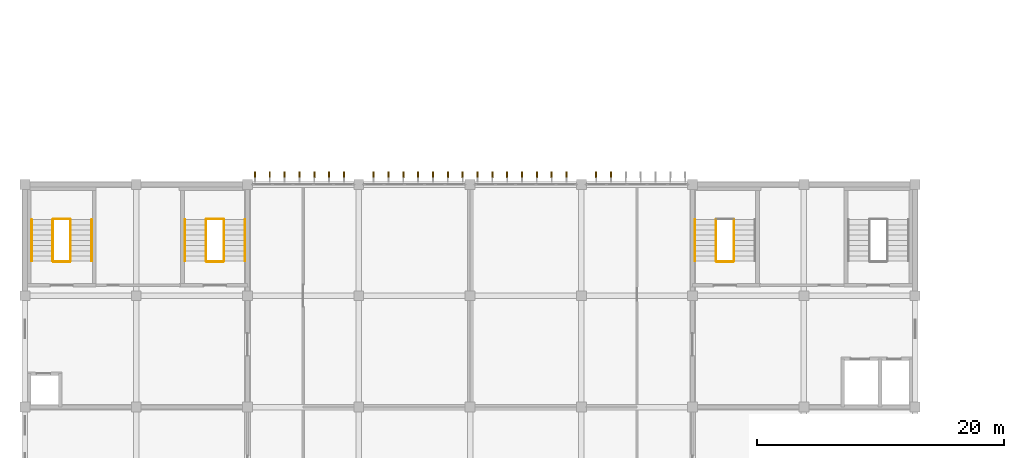
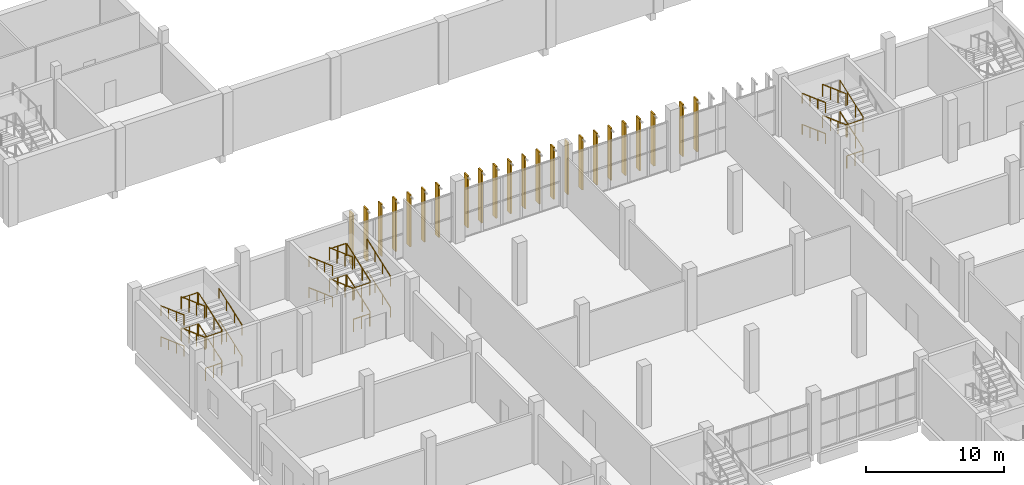
# One storey, part 169 of 185: 32 railings, 23 coverings.
"""IFC4 building model written with IfcOpenShell, lengths in metres."""

from ifc_helpers import new_model, si_unit, direction, frame, origin, origin_2d, place, context, subcontext, project, spatial, rectangle, circle, extrude, material, layer, layer_set, constituent, constituent_set, type_object, element, save


model = new_model("IFC4")

# Units and contexts
model_context = context("Model", 3, precision=1e-05, world=origin(), true_north=direction((0.0, 1.0)))
body_context = subcontext(model_context, "Body", "Model", "MODEL_VIEW")
ifc_project = project(units=[si_unit("LENGTHUNIT", "METRE"), si_unit("AREAUNIT", "SQUARE_METRE"), si_unit("VOLUMEUNIT", "CUBIC_METRE"), si_unit("PLANEANGLEUNIT", "RADIAN"), si_unit("MASSUNIT", "GRAM", prefix="KILO")], contexts=[model_context])

# Site, building, storey
site_placement = place(None, origin())
site = spatial("IfcSite", under=ifc_project, at=site_placement, CompositionType="ELEMENT")
building_placement = place(site_placement, origin())
building = spatial("IfcBuilding", under=site, at=building_placement, Name="Opaline Strait Convention Centre", CompositionType="ELEMENT")
storey_placement = place(building_placement, frame((0.0, 0.0, 6.0)))
storey = spatial("IfcBuildingStorey", under=building, at=storey_placement, Name="L01", CompositionType="ELEMENT", Elevation=6.0)

# Railings
ifc_material_1 = material(Name="Steel Q235B", Category="steel")
ifc_constituent_1 = constituent(ifc_material_1, Name="Frame")
ifc_material_2 = material(Name="Safety glass, bonded interlayer", Category="glass")
ifc_constituent_2 = constituent(ifc_material_2, Name="Infill")
ifc_constituent_set = constituent_set(constituents=[ifc_constituent_1, ifc_constituent_2], Name="Steel Q235B, Safety glass, bonded interlayer")
railing_type_1 = type_object("IfcRailingType", Name="Stair guard 1100 Q235B and glass", PredefinedType="GUARDRAIL", material=ifc_constituent_set)
railing_1_placement = place(storey_placement, frame((12.699951171875, 92.800048828125, 0.15283203125)))
element("IfcRailing", 1, at=railing_1_placement, inside=storey, type_object=railing_type_1, Name="L01 NWA stair guard 1", PredefinedType="GUARDRAIL", context=body_context, shape_type="SweptSolid", body=[
    extrude(circle(Radius=0.02392578125, at=origin_2d()), frame((0.0, 0.0, 1.076171875), z_axis=(0.0, 0.93975753056, 0.341841752506), x_axis=(-1.0, 0.0, 0.0)), (0.0, 0.0, 1.0), 3.5751953125),
    extrude(circle(Radius=0.02099609375, at=origin_2d()), origin(), (0.0, 0.0, 1.0), 1.052001953125),
    extrude(circle(Radius=0.02099609375, at=origin_2d()), frame((0.0, 1.119873046875, 0.407470703125)), (0.0, 0.0, 1.0), 1.052001953125),
    extrude(circle(Radius=0.02099609375, at=origin_2d()), frame((0.0, 2.239990234375, 0.814697265625)), (0.0, 0.0, 1.0), 1.052001953125),
    extrude(circle(Radius=0.02099609375, at=origin_2d()), frame((0.0, 3.35986328125, 1.22216796875)), (0.0, 0.0, 1.0), 1.052001953125),
])
railing_2_placement = place(storey_placement, frame((12.64990234375, 96.2099609375, 1.375)))
element("IfcRailing", 2, at=railing_2_placement, inside=storey, type_object=railing_type_1, Name="L01 NWA stair guard 2", PredefinedType="GUARDRAIL", context=body_context, shape_type="SweptSolid", body=[
    extrude(circle(Radius=0.02392578125, at=origin_2d()), frame((0.0, 0.0, 1.076171875), z_axis=(-1.0, 0.0, 0.0), x_axis=(0.0, -1.0, 0.0)), (0.0, 0.0, 1.0), 1.349853515625),
    extrude(circle(Radius=0.02099609375, at=origin_2d()), origin(), (0.0, 0.0, 1.0), 1.052001953125),
    extrude(circle(Radius=0.02099609375, at=origin_2d()), frame((-0.6748046875, 0.0, 0.0)), (0.0, 0.0, 1.0), 1.052001953125),
    extrude(circle(Radius=0.02099609375, at=origin_2d()), frame((-1.349853515625, 0.0, 0.0)), (0.0, 0.0, 1.0), 1.052001953125),
])
railing_3_placement = place(storey_placement, frame((11.25, 96.159912109375, 1.52783203125)))
element("IfcRailing", 3, at=railing_3_placement, inside=storey, type_object=railing_type_1, Name="L01 NWA stair guard 3", PredefinedType="GUARDRAIL", context=body_context, shape_type="SweptSolid", body=[
    extrude(circle(Radius=0.02392578125, at=origin_2d()), frame((0.0, 0.0, 1.076171875), z_axis=(0.0, -0.93975753056, 0.341841752506), x_axis=(1.0, 0.0, 0.0)), (0.0, 0.0, 1.0), 3.5751953125),
    extrude(circle(Radius=0.02099609375, at=origin_2d()), origin(), (0.0, 0.0, 1.0), 1.052001953125),
    extrude(circle(Radius=0.02099609375, at=origin_2d()), frame((0.0, -1.119873046875, 0.407470703125)), (0.0, 0.0, 1.0), 1.052001953125),
    extrude(circle(Radius=0.02099609375, at=origin_2d()), frame((0.0, -2.239990234375, 0.814697265625)), (0.0, 0.0, 1.0), 1.052001953125),
    extrude(circle(Radius=0.02099609375, at=origin_2d()), frame((0.0, -3.35986328125, 1.22216796875)), (0.0, 0.0, 1.0), 1.052001953125),
])
railing_4_placement = place(storey_placement, frame((12.64990234375, 92.75, 2.75)))
element("IfcRailing", 4, at=railing_4_placement, inside=storey, type_object=railing_type_1, Name="L01 NWA stair guard 4", PredefinedType="GUARDRAIL", context=body_context, shape_type="SweptSolid", body=[
    extrude(circle(Radius=0.02392578125, at=origin_2d()), frame((0.0, 0.0, 1.076171875), z_axis=(-1.0, 0.0, 0.0), x_axis=(0.0, -1.0, 0.0)), (0.0, 0.0, 1.0), 1.349853515625),
    extrude(circle(Radius=0.02099609375, at=origin_2d()), origin(), (0.0, 0.0, 1.0), 1.052001953125),
    extrude(circle(Radius=0.02099609375, at=origin_2d()), frame((-0.6748046875, 0.0, 0.0)), (0.0, 0.0, 1.0), 1.052001953125),
    extrude(circle(Radius=0.02099609375, at=origin_2d()), frame((-1.349853515625, 0.0, 0.0)), (0.0, 0.0, 1.0), 1.052001953125),
])
railing_5_placement = place(storey_placement, frame((12.699951171875, 92.800048828125, 2.90283203125)))
element("IfcRailing", 5, at=railing_5_placement, inside=storey, type_object=railing_type_1, Name="L01 NWA stair guard 5", PredefinedType="GUARDRAIL", context=body_context, shape_type="SweptSolid", body=[
    extrude(circle(Radius=0.02392578125, at=origin_2d()), frame((0.0, 0.0, 1.076171875), z_axis=(0.0, 0.93975753056, 0.341841752506), x_axis=(-1.0, 0.0, 0.0)), (0.0, 0.0, 1.0), 3.5751953125),
    extrude(circle(Radius=0.02099609375, at=origin_2d()), origin(), (0.0, 0.0, 1.0), 1.052001953125),
    extrude(circle(Radius=0.02099609375, at=origin_2d()), frame((0.0, 1.119873046875, 0.407470703125)), (0.0, 0.0, 1.0), 1.052001953125),
    extrude(circle(Radius=0.02099609375, at=origin_2d()), frame((0.0, 2.239990234375, 0.814697265625)), (0.0, 0.0, 1.0), 1.052001953125),
    extrude(circle(Radius=0.02099609375, at=origin_2d()), frame((0.0, 3.35986328125, 1.22216796875)), (0.0, 0.0, 1.0), 1.052001953125),
])
railing_6_placement = place(storey_placement, frame((12.64990234375, 96.2099609375, 4.125)))
element("IfcRailing", 6, at=railing_6_placement, inside=storey, type_object=railing_type_1, Name="L01 NWA stair guard 6", PredefinedType="GUARDRAIL", context=body_context, shape_type="SweptSolid", body=[
    extrude(circle(Radius=0.02392578125, at=origin_2d()), frame((0.0, 0.0, 1.076171875), z_axis=(-1.0, 0.0, 0.0), x_axis=(0.0, -1.0, 0.0)), (0.0, 0.0, 1.0), 1.349853515625),
    extrude(circle(Radius=0.02099609375, at=origin_2d()), origin(), (0.0, 0.0, 1.0), 1.052001953125),
    extrude(circle(Radius=0.02099609375, at=origin_2d()), frame((-0.6748046875, 0.0, 0.0)), (0.0, 0.0, 1.0), 1.052001953125),
    extrude(circle(Radius=0.02099609375, at=origin_2d()), frame((-1.349853515625, 0.0, 0.0)), (0.0, 0.0, 1.0), 1.052001953125),
])
railing_7_placement = place(storey_placement, frame((11.25, 96.159912109375, 4.27783203125)))
element("IfcRailing", 7, at=railing_7_placement, inside=storey, type_object=railing_type_1, Name="L01 NWA stair guard 7", PredefinedType="GUARDRAIL", context=body_context, shape_type="SweptSolid", body=[
    extrude(circle(Radius=0.02392578125, at=origin_2d()), frame((0.0, 0.0, 1.076171875), z_axis=(0.0, -0.93975753056, 0.341841752506), x_axis=(1.0, 0.0, 0.0)), (0.0, 0.0, 1.0), 3.5751953125),
    extrude(circle(Radius=0.02099609375, at=origin_2d()), origin(), (0.0, 0.0, 1.0), 1.052001953125),
    extrude(circle(Radius=0.02099609375, at=origin_2d()), frame((0.0, -1.119873046875, 0.407470703125)), (0.0, 0.0, 1.0), 1.052001953125),
    extrude(circle(Radius=0.02099609375, at=origin_2d()), frame((0.0, -2.239990234375, 0.814697265625)), (0.0, 0.0, 1.0), 1.052001953125),
    extrude(circle(Radius=0.02099609375, at=origin_2d()), frame((0.0, -3.35986328125, 1.22216796875)), (0.0, 0.0, 1.0), 1.052001953125),
])
railing_8_placement = place(storey_placement, frame((12.64990234375, 92.75, 0.0)))
element("IfcRailing", 8, at=railing_8_placement, inside=storey, type_object=railing_type_1, Name="L01 NWA stair guard 8", PredefinedType="GUARDRAIL", context=body_context, shape_type="SweptSolid", body=[
    extrude(circle(Radius=0.02392578125, at=origin_2d()), frame((0.0, 0.0, 1.076171875), z_axis=(-1.0, 0.0, 0.0), x_axis=(0.0, -1.0, 0.0)), (0.0, 0.0, 1.0), 1.349853515625),
    extrude(circle(Radius=0.02099609375, at=origin_2d()), origin(), (0.0, 0.0, 1.0), 1.052001953125),
    extrude(circle(Radius=0.02099609375, at=origin_2d()), frame((-0.6748046875, 0.0, 0.0)), (0.0, 0.0, 1.0), 1.052001953125),
    extrude(circle(Radius=0.02099609375, at=origin_2d()), frame((-1.349853515625, 0.0, 0.0)), (0.0, 0.0, 1.0), 1.052001953125),
])
railing_9_placement = place(storey_placement, frame((25.10009765625, 92.800048828125, 0.15283203125)))
element("IfcRailing", 9, at=railing_9_placement, inside=storey, type_object=railing_type_1, Name="L01 NWB stair guard 1", PredefinedType="GUARDRAIL", context=body_context, shape_type="SweptSolid", body=[
    extrude(circle(Radius=0.02392578125, at=origin_2d()), frame((0.0, 0.0, 1.076171875), z_axis=(0.0, 0.93975753056, 0.341841752506), x_axis=(-1.0, 0.0, 0.0)), (0.0, 0.0, 1.0), 3.5751953125),
    extrude(circle(Radius=0.02099609375, at=origin_2d()), origin(), (0.0, 0.0, 1.0), 1.052001953125),
    extrude(circle(Radius=0.02099609375, at=origin_2d()), frame((0.0, 1.119873046875, 0.407470703125)), (0.0, 0.0, 1.0), 1.052001953125),
    extrude(circle(Radius=0.02099609375, at=origin_2d()), frame((0.0, 2.239990234375, 0.814697265625)), (0.0, 0.0, 1.0), 1.052001953125),
    extrude(circle(Radius=0.02099609375, at=origin_2d()), frame((0.0, 3.35986328125, 1.22216796875)), (0.0, 0.0, 1.0), 1.052001953125),
])
railing_10_placement = place(storey_placement, frame((25.050048828125, 96.2099609375, 1.375)))
element("IfcRailing", 10, at=railing_10_placement, inside=storey, type_object=railing_type_1, Name="L01 NWB stair guard 2", PredefinedType="GUARDRAIL", context=body_context, shape_type="SweptSolid", body=[
    extrude(circle(Radius=0.02392578125, at=origin_2d()), frame((0.0, 0.0, 1.076171875), z_axis=(-1.0, 0.0, 0.0), x_axis=(0.0, -1.0, 0.0)), (0.0, 0.0, 1.0), 1.35009765625),
    extrude(circle(Radius=0.02099609375, at=origin_2d()), origin(), (0.0, 0.0, 1.0), 1.052001953125),
    extrude(circle(Radius=0.02099609375, at=origin_2d()), frame((-0.675048828125, 0.0, 0.0)), (0.0, 0.0, 1.0), 1.052001953125),
    extrude(circle(Radius=0.02099609375, at=origin_2d()), frame((-1.35009765625, 0.0, 0.0)), (0.0, 0.0, 1.0), 1.052001953125),
])
railing_11_placement = place(storey_placement, frame((23.64990234375, 96.159912109375, 1.52783203125)))
element("IfcRailing", 11, at=railing_11_placement, inside=storey, type_object=railing_type_1, Name="L01 NWB stair guard 3", PredefinedType="GUARDRAIL", context=body_context, shape_type="SweptSolid", body=[
    extrude(circle(Radius=0.02392578125, at=origin_2d()), frame((0.0, 0.0, 1.076171875), z_axis=(0.0, -0.93975753056, 0.341841752506), x_axis=(1.0, 0.0, 0.0)), (0.0, 0.0, 1.0), 3.5751953125),
    extrude(circle(Radius=0.02099609375, at=origin_2d()), origin(), (0.0, 0.0, 1.0), 1.052001953125),
    extrude(circle(Radius=0.02099609375, at=origin_2d()), frame((0.0, -1.119873046875, 0.407470703125)), (0.0, 0.0, 1.0), 1.052001953125),
    extrude(circle(Radius=0.02099609375, at=origin_2d()), frame((0.0, -2.239990234375, 0.814697265625)), (0.0, 0.0, 1.0), 1.052001953125),
    extrude(circle(Radius=0.02099609375, at=origin_2d()), frame((0.0, -3.35986328125, 1.22216796875)), (0.0, 0.0, 1.0), 1.052001953125),
])
railing_12_placement = place(storey_placement, frame((25.050048828125, 92.75, 2.75)))
element("IfcRailing", 12, at=railing_12_placement, inside=storey, type_object=railing_type_1, Name="L01 NWB stair guard 4", PredefinedType="GUARDRAIL", context=body_context, shape_type="SweptSolid", body=[
    extrude(circle(Radius=0.02392578125, at=origin_2d()), frame((0.0, 0.0, 1.076171875), z_axis=(-1.0, 0.0, 0.0), x_axis=(0.0, -1.0, 0.0)), (0.0, 0.0, 1.0), 1.35009765625),
    extrude(circle(Radius=0.02099609375, at=origin_2d()), origin(), (0.0, 0.0, 1.0), 1.052001953125),
    extrude(circle(Radius=0.02099609375, at=origin_2d()), frame((-0.675048828125, 0.0, 0.0)), (0.0, 0.0, 1.0), 1.052001953125),
    extrude(circle(Radius=0.02099609375, at=origin_2d()), frame((-1.35009765625, 0.0, 0.0)), (0.0, 0.0, 1.0), 1.052001953125),
])
railing_13_placement = place(storey_placement, frame((25.10009765625, 92.800048828125, 2.90283203125)))
element("IfcRailing", 13, at=railing_13_placement, inside=storey, type_object=railing_type_1, Name="L01 NWB stair guard 5", PredefinedType="GUARDRAIL", context=body_context, shape_type="SweptSolid", body=[
    extrude(circle(Radius=0.02392578125, at=origin_2d()), frame((0.0, 0.0, 1.076171875), z_axis=(0.0, 0.93975753056, 0.341841752506), x_axis=(-1.0, 0.0, 0.0)), (0.0, 0.0, 1.0), 3.5751953125),
    extrude(circle(Radius=0.02099609375, at=origin_2d()), origin(), (0.0, 0.0, 1.0), 1.052001953125),
    extrude(circle(Radius=0.02099609375, at=origin_2d()), frame((0.0, 1.119873046875, 0.407470703125)), (0.0, 0.0, 1.0), 1.052001953125),
    extrude(circle(Radius=0.02099609375, at=origin_2d()), frame((0.0, 2.239990234375, 0.814697265625)), (0.0, 0.0, 1.0), 1.052001953125),
    extrude(circle(Radius=0.02099609375, at=origin_2d()), frame((0.0, 3.35986328125, 1.22216796875)), (0.0, 0.0, 1.0), 1.052001953125),
])
railing_14_placement = place(storey_placement, frame((25.050048828125, 96.2099609375, 4.125)))
element("IfcRailing", 14, at=railing_14_placement, inside=storey, type_object=railing_type_1, Name="L01 NWB stair guard 6", PredefinedType="GUARDRAIL", context=body_context, shape_type="SweptSolid", body=[
    extrude(circle(Radius=0.02392578125, at=origin_2d()), frame((0.0, 0.0, 1.076171875), z_axis=(-1.0, 0.0, 0.0), x_axis=(0.0, -1.0, 0.0)), (0.0, 0.0, 1.0), 1.35009765625),
    extrude(circle(Radius=0.02099609375, at=origin_2d()), origin(), (0.0, 0.0, 1.0), 1.052001953125),
    extrude(circle(Radius=0.02099609375, at=origin_2d()), frame((-0.675048828125, 0.0, 0.0)), (0.0, 0.0, 1.0), 1.052001953125),
    extrude(circle(Radius=0.02099609375, at=origin_2d()), frame((-1.35009765625, 0.0, 0.0)), (0.0, 0.0, 1.0), 1.052001953125),
])
railing_15_placement = place(storey_placement, frame((23.64990234375, 96.159912109375, 4.27783203125)))
element("IfcRailing", 15, at=railing_15_placement, inside=storey, type_object=railing_type_1, Name="L01 NWB stair guard 7", PredefinedType="GUARDRAIL", context=body_context, shape_type="SweptSolid", body=[
    extrude(circle(Radius=0.02392578125, at=origin_2d()), frame((0.0, 0.0, 1.076171875), z_axis=(0.0, -0.93975753056, 0.341841752506), x_axis=(1.0, 0.0, 0.0)), (0.0, 0.0, 1.0), 3.5751953125),
    extrude(circle(Radius=0.02099609375, at=origin_2d()), origin(), (0.0, 0.0, 1.0), 1.052001953125),
    extrude(circle(Radius=0.02099609375, at=origin_2d()), frame((0.0, -1.119873046875, 0.407470703125)), (0.0, 0.0, 1.0), 1.052001953125),
    extrude(circle(Radius=0.02099609375, at=origin_2d()), frame((0.0, -2.239990234375, 0.814697265625)), (0.0, 0.0, 1.0), 1.052001953125),
    extrude(circle(Radius=0.02099609375, at=origin_2d()), frame((0.0, -3.35986328125, 1.22216796875)), (0.0, 0.0, 1.0), 1.052001953125),
])
railing_16_placement = place(storey_placement, frame((25.050048828125, 92.75, 0.0)))
element("IfcRailing", 16, at=railing_16_placement, inside=storey, type_object=railing_type_1, Name="L01 NWB stair guard 8", PredefinedType="GUARDRAIL", context=body_context, shape_type="SweptSolid", body=[
    extrude(circle(Radius=0.02392578125, at=origin_2d()), frame((0.0, 0.0, 1.076171875), z_axis=(-1.0, 0.0, 0.0), x_axis=(0.0, -1.0, 0.0)), (0.0, 0.0, 1.0), 1.35009765625),
    extrude(circle(Radius=0.02099609375, at=origin_2d()), origin(), (0.0, 0.0, 1.0), 1.052001953125),
    extrude(circle(Radius=0.02099609375, at=origin_2d()), frame((-0.675048828125, 0.0, 0.0)), (0.0, 0.0, 1.0), 1.052001953125),
    extrude(circle(Radius=0.02099609375, at=origin_2d()), frame((-1.35009765625, 0.0, 0.0)), (0.0, 0.0, 1.0), 1.052001953125),
])
railing_17_placement = place(storey_placement, frame((66.35009765625, 92.800048828125, 0.15283203125)))
element("IfcRailing", 17, at=railing_17_placement, inside=storey, type_object=railing_type_1, Name="L01 NEB stair guard 1", PredefinedType="GUARDRAIL", context=body_context, shape_type="SweptSolid", body=[
    extrude(circle(Radius=0.02392578125, at=origin_2d()), frame((0.0, 0.0, 1.076171875), z_axis=(0.0, 0.93975753056, 0.341841752506), x_axis=(-1.0, 0.0, 0.0)), (0.0, 0.0, 1.0), 3.5751953125),
    extrude(circle(Radius=0.02099609375, at=origin_2d()), origin(), (0.0, 0.0, 1.0), 1.052001953125),
    extrude(circle(Radius=0.02099609375, at=origin_2d()), frame((0.0, 1.119873046875, 0.407470703125)), (0.0, 0.0, 1.0), 1.052001953125),
    extrude(circle(Radius=0.02099609375, at=origin_2d()), frame((0.0, 2.239990234375, 0.814697265625)), (0.0, 0.0, 1.0), 1.052001953125),
    extrude(circle(Radius=0.02099609375, at=origin_2d()), frame((0.0, 3.35986328125, 1.22216796875)), (0.0, 0.0, 1.0), 1.052001953125),
])
railing_18_placement = place(storey_placement, frame((64.89990234375, 96.159912109375, 1.52783203125)))
element("IfcRailing", 18, at=railing_18_placement, inside=storey, type_object=railing_type_1, Name="L01 NEB stair guard 3", PredefinedType="GUARDRAIL", context=body_context, shape_type="SweptSolid", body=[
    extrude(circle(Radius=0.02392578125, at=origin_2d()), frame((0.0, 0.0, 1.076171875), z_axis=(0.0, -0.93975753056, 0.341841752506), x_axis=(1.0, 0.0, 0.0)), (0.0, 0.0, 1.0), 3.5751953125),
    extrude(circle(Radius=0.02099609375, at=origin_2d()), origin(), (0.0, 0.0, 1.0), 1.052001953125),
    extrude(circle(Radius=0.02099609375, at=origin_2d()), frame((0.0, -1.119873046875, 0.407470703125)), (0.0, 0.0, 1.0), 1.052001953125),
    extrude(circle(Radius=0.02099609375, at=origin_2d()), frame((0.0, -2.239990234375, 0.814697265625)), (0.0, 0.0, 1.0), 1.052001953125),
    extrude(circle(Radius=0.02099609375, at=origin_2d()), frame((0.0, -3.35986328125, 1.22216796875)), (0.0, 0.0, 1.0), 1.052001953125),
])
railing_19_placement = place(storey_placement, frame((66.300048828125, 92.75, 2.75)))
element("IfcRailing", 19, at=railing_19_placement, inside=storey, type_object=railing_type_1, Name="L01 NEB stair guard 4", PredefinedType="GUARDRAIL", context=body_context, shape_type="SweptSolid", body=[
    extrude(circle(Radius=0.02392578125, at=origin_2d()), frame((0.0, 0.0, 1.076171875), z_axis=(-1.0, 0.0, 0.0), x_axis=(0.0, -1.0, 0.0)), (0.0, 0.0, 1.0), 1.35009765625),
    extrude(circle(Radius=0.02099609375, at=origin_2d()), origin(), (0.0, 0.0, 1.0), 1.052001953125),
    extrude(circle(Radius=0.02099609375, at=origin_2d()), frame((-0.675048828125, 0.0, 0.0)), (0.0, 0.0, 1.0), 1.052001953125),
    extrude(circle(Radius=0.02099609375, at=origin_2d()), frame((-1.35009765625, 0.0, 0.0)), (0.0, 0.0, 1.0), 1.052001953125),
])
railing_20_placement = place(storey_placement, frame((66.35009765625, 92.800048828125, 2.90283203125)))
element("IfcRailing", 20, at=railing_20_placement, inside=storey, type_object=railing_type_1, Name="L01 NEB stair guard 5", PredefinedType="GUARDRAIL", context=body_context, shape_type="SweptSolid", body=[
    extrude(circle(Radius=0.02392578125, at=origin_2d()), frame((0.0, 0.0, 1.076171875), z_axis=(0.0, 0.93975753056, 0.341841752506), x_axis=(-1.0, 0.0, 0.0)), (0.0, 0.0, 1.0), 3.5751953125),
    extrude(circle(Radius=0.02099609375, at=origin_2d()), origin(), (0.0, 0.0, 1.0), 1.052001953125),
    extrude(circle(Radius=0.02099609375, at=origin_2d()), frame((0.0, 1.119873046875, 0.407470703125)), (0.0, 0.0, 1.0), 1.052001953125),
    extrude(circle(Radius=0.02099609375, at=origin_2d()), frame((0.0, 2.239990234375, 0.814697265625)), (0.0, 0.0, 1.0), 1.052001953125),
    extrude(circle(Radius=0.02099609375, at=origin_2d()), frame((0.0, 3.35986328125, 1.22216796875)), (0.0, 0.0, 1.0), 1.052001953125),
])
railing_21_placement = place(storey_placement, frame((64.89990234375, 96.159912109375, 4.27783203125)))
element("IfcRailing", 21, at=railing_21_placement, inside=storey, type_object=railing_type_1, Name="L01 NEB stair guard 7", PredefinedType="GUARDRAIL", context=body_context, shape_type="SweptSolid", body=[
    extrude(circle(Radius=0.02392578125, at=origin_2d()), frame((0.0, 0.0, 1.076171875), z_axis=(0.0, -0.93975753056, 0.341841752506), x_axis=(1.0, 0.0, 0.0)), (0.0, 0.0, 1.0), 3.5751953125),
    extrude(circle(Radius=0.02099609375, at=origin_2d()), origin(), (0.0, 0.0, 1.0), 1.052001953125),
    extrude(circle(Radius=0.02099609375, at=origin_2d()), frame((0.0, -1.119873046875, 0.407470703125)), (0.0, 0.0, 1.0), 1.052001953125),
    extrude(circle(Radius=0.02099609375, at=origin_2d()), frame((0.0, -2.239990234375, 0.814697265625)), (0.0, 0.0, 1.0), 1.052001953125),
    extrude(circle(Radius=0.02099609375, at=origin_2d()), frame((0.0, -3.35986328125, 1.22216796875)), (0.0, 0.0, 1.0), 1.052001953125),
])
railing_22_placement = place(storey_placement, frame((66.300048828125, 92.75, 0.0)))
element("IfcRailing", 22, at=railing_22_placement, inside=storey, type_object=railing_type_1, Name="L01 NEB stair guard 8", PredefinedType="GUARDRAIL", context=body_context, shape_type="SweptSolid", body=[
    extrude(circle(Radius=0.02392578125, at=origin_2d()), frame((0.0, 0.0, 1.076171875), z_axis=(-1.0, 0.0, 0.0), x_axis=(0.0, -1.0, 0.0)), (0.0, 0.0, 1.0), 1.35009765625),
    extrude(circle(Radius=0.02099609375, at=origin_2d()), origin(), (0.0, 0.0, 1.0), 1.052001953125),
    extrude(circle(Radius=0.02099609375, at=origin_2d()), frame((-0.675048828125, 0.0, 0.0)), (0.0, 0.0, 1.0), 1.052001953125),
    extrude(circle(Radius=0.02099609375, at=origin_2d()), frame((-1.35009765625, 0.0, 0.0)), (0.0, 0.0, 1.0), 1.052001953125),
])
ifc_material_3 = material(Name="Stainless steel 304", Category="steel")
railing_type_2 = type_object("IfcRailingType", Name="Stair handrail 900 stainless 304", PredefinedType="HANDRAIL", material=ifc_material_3)
railing_23_placement = place(storey_placement, frame((14.39990234375, 92.800048828125, 0.15283203125)))
element("IfcRailing", 23, at=railing_23_placement, inside=storey, type_object=railing_type_2, Name="L01 NWA stair handrail 1", PredefinedType="HANDRAIL", context=body_context, shape_type="SweptSolid", body=[
    extrude(circle(Radius=0.02392578125, at=origin_2d()), frame((0.0, 0.0, 0.8759765625), z_axis=(0.0, 0.93975753056, 0.341841752506), x_axis=(-1.0, 0.0, 0.0)), (0.0, 0.0, 1.0), 3.5751953125),
    extrude(circle(Radius=0.02099609375, at=origin_2d()), origin(), (0.0, 0.0, 1.0), 0.851806640625),
    extrude(circle(Radius=0.02099609375, at=origin_2d()), frame((0.0, 1.119873046875, 0.407470703125)), (0.0, 0.0, 1.0), 0.851806640625),
    extrude(circle(Radius=0.02099609375, at=origin_2d()), frame((0.0, 2.239990234375, 0.814697265625)), (0.0, 0.0, 1.0), 0.851806640625),
    extrude(circle(Radius=0.02099609375, at=origin_2d()), frame((0.0, 3.35986328125, 1.22216796875)), (0.0, 0.0, 1.0), 0.851806640625),
])
railing_24_placement = place(storey_placement, frame((9.550048828125, 96.159912109375, 1.52783203125)))
element("IfcRailing", 24, at=railing_24_placement, inside=storey, type_object=railing_type_2, Name="L01 NWA stair handrail 2", PredefinedType="HANDRAIL", context=body_context, shape_type="SweptSolid", body=[
    extrude(circle(Radius=0.02392578125, at=origin_2d()), frame((0.0, 0.0, 0.8759765625), z_axis=(0.0, -0.93975753056, 0.341841752506), x_axis=(1.0, 0.0, 0.0)), (0.0, 0.0, 1.0), 3.5751953125),
    extrude(circle(Radius=0.02099609375, at=origin_2d()), origin(), (0.0, 0.0, 1.0), 0.851806640625),
    extrude(circle(Radius=0.02099609375, at=origin_2d()), frame((0.0, -1.119873046875, 0.407470703125)), (0.0, 0.0, 1.0), 0.851806640625),
    extrude(circle(Radius=0.02099609375, at=origin_2d()), frame((0.0, -2.239990234375, 0.814697265625)), (0.0, 0.0, 1.0), 0.851806640625),
    extrude(circle(Radius=0.02099609375, at=origin_2d()), frame((0.0, -3.35986328125, 1.22216796875)), (0.0, 0.0, 1.0), 0.851806640625),
])
railing_25_placement = place(storey_placement, frame((14.39990234375, 92.800048828125, 2.90283203125)))
element("IfcRailing", 25, at=railing_25_placement, inside=storey, type_object=railing_type_2, Name="L01 NWA stair handrail 3", PredefinedType="HANDRAIL", context=body_context, shape_type="SweptSolid", body=[
    extrude(circle(Radius=0.02392578125, at=origin_2d()), frame((0.0, 0.0, 0.8759765625), z_axis=(0.0, 0.93975753056, 0.341841752506), x_axis=(-1.0, 0.0, 0.0)), (0.0, 0.0, 1.0), 3.5751953125),
    extrude(circle(Radius=0.02099609375, at=origin_2d()), origin(), (0.0, 0.0, 1.0), 0.851806640625),
    extrude(circle(Radius=0.02099609375, at=origin_2d()), frame((0.0, 1.119873046875, 0.407470703125)), (0.0, 0.0, 1.0), 0.851806640625),
    extrude(circle(Radius=0.02099609375, at=origin_2d()), frame((0.0, 2.239990234375, 0.814697265625)), (0.0, 0.0, 1.0), 0.851806640625),
    extrude(circle(Radius=0.02099609375, at=origin_2d()), frame((0.0, 3.35986328125, 1.22216796875)), (0.0, 0.0, 1.0), 0.851806640625),
])
railing_26_placement = place(storey_placement, frame((9.550048828125, 96.159912109375, 4.27783203125)))
element("IfcRailing", 26, at=railing_26_placement, inside=storey, type_object=railing_type_2, Name="L01 NWA stair handrail 4", PredefinedType="HANDRAIL", context=body_context, shape_type="SweptSolid", body=[
    extrude(circle(Radius=0.02392578125, at=origin_2d()), frame((0.0, 0.0, 0.8759765625), z_axis=(0.0, -0.93975753056, 0.341841752506), x_axis=(1.0, 0.0, 0.0)), (0.0, 0.0, 1.0), 3.5751953125),
    extrude(circle(Radius=0.02099609375, at=origin_2d()), origin(), (0.0, 0.0, 1.0), 0.851806640625),
    extrude(circle(Radius=0.02099609375, at=origin_2d()), frame((0.0, -1.119873046875, 0.407470703125)), (0.0, 0.0, 1.0), 0.851806640625),
    extrude(circle(Radius=0.02099609375, at=origin_2d()), frame((0.0, -2.239990234375, 0.814697265625)), (0.0, 0.0, 1.0), 0.851806640625),
    extrude(circle(Radius=0.02099609375, at=origin_2d()), frame((0.0, -3.35986328125, 1.22216796875)), (0.0, 0.0, 1.0), 0.851806640625),
])
railing_27_placement = place(storey_placement, frame((26.800048828125, 92.800048828125, 0.15283203125)))
element("IfcRailing", 27, at=railing_27_placement, inside=storey, type_object=railing_type_2, Name="L01 NWB stair handrail 1", PredefinedType="HANDRAIL", context=body_context, shape_type="SweptSolid", body=[
    extrude(circle(Radius=0.02392578125, at=origin_2d()), frame((0.0, 0.0, 0.8759765625), z_axis=(0.0, 0.93975753056, 0.341841752506), x_axis=(-1.0, 0.0, 0.0)), (0.0, 0.0, 1.0), 3.5751953125),
    extrude(circle(Radius=0.02099609375, at=origin_2d()), origin(), (0.0, 0.0, 1.0), 0.851806640625),
    extrude(circle(Radius=0.02099609375, at=origin_2d()), frame((0.0, 1.119873046875, 0.407470703125)), (0.0, 0.0, 1.0), 0.851806640625),
    extrude(circle(Radius=0.02099609375, at=origin_2d()), frame((0.0, 2.239990234375, 0.814697265625)), (0.0, 0.0, 1.0), 0.851806640625),
    extrude(circle(Radius=0.02099609375, at=origin_2d()), frame((0.0, 3.35986328125, 1.22216796875)), (0.0, 0.0, 1.0), 0.851806640625),
])
railing_28_placement = place(storey_placement, frame((21.949951171875, 96.159912109375, 1.52783203125)))
element("IfcRailing", 28, at=railing_28_placement, inside=storey, type_object=railing_type_2, Name="L01 NWB stair handrail 2", PredefinedType="HANDRAIL", context=body_context, shape_type="SweptSolid", body=[
    extrude(circle(Radius=0.02392578125, at=origin_2d()), frame((0.0, 0.0, 0.8759765625), z_axis=(0.0, -0.93975753056, 0.341841752506), x_axis=(1.0, 0.0, 0.0)), (0.0, 0.0, 1.0), 3.5751953125),
    extrude(circle(Radius=0.02099609375, at=origin_2d()), origin(), (0.0, 0.0, 1.0), 0.851806640625),
    extrude(circle(Radius=0.02099609375, at=origin_2d()), frame((0.0, -1.119873046875, 0.407470703125)), (0.0, 0.0, 1.0), 0.851806640625),
    extrude(circle(Radius=0.02099609375, at=origin_2d()), frame((0.0, -2.239990234375, 0.814697265625)), (0.0, 0.0, 1.0), 0.851806640625),
    extrude(circle(Radius=0.02099609375, at=origin_2d()), frame((0.0, -3.35986328125, 1.22216796875)), (0.0, 0.0, 1.0), 0.851806640625),
])
railing_29_placement = place(storey_placement, frame((26.800048828125, 92.800048828125, 2.90283203125)))
element("IfcRailing", 29, at=railing_29_placement, inside=storey, type_object=railing_type_2, Name="L01 NWB stair handrail 3", PredefinedType="HANDRAIL", context=body_context, shape_type="SweptSolid", body=[
    extrude(circle(Radius=0.02392578125, at=origin_2d()), frame((0.0, 0.0, 0.8759765625), z_axis=(0.0, 0.93975753056, 0.341841752506), x_axis=(-1.0, 0.0, 0.0)), (0.0, 0.0, 1.0), 3.5751953125),
    extrude(circle(Radius=0.02099609375, at=origin_2d()), origin(), (0.0, 0.0, 1.0), 0.851806640625),
    extrude(circle(Radius=0.02099609375, at=origin_2d()), frame((0.0, 1.119873046875, 0.407470703125)), (0.0, 0.0, 1.0), 0.851806640625),
    extrude(circle(Radius=0.02099609375, at=origin_2d()), frame((0.0, 2.239990234375, 0.814697265625)), (0.0, 0.0, 1.0), 0.851806640625),
    extrude(circle(Radius=0.02099609375, at=origin_2d()), frame((0.0, 3.35986328125, 1.22216796875)), (0.0, 0.0, 1.0), 0.851806640625),
])
for number, where, name in (
    (30, (21.949951171875, 96.159912109375, 4.27783203125), "L01 NWB stair handrail 4"),
    (31, (63.199951171875, 96.159912109375, 1.52783203125), "L01 NEB stair handrail 2"),
    (32, (63.199951171875, 96.159912109375, 4.27783203125), "L01 NEB stair handrail 4"),
):
    element("IfcRailing", number, at=place(storey_placement, frame(where)), inside=storey, type_object=railing_type_2, Name=name, PredefinedType="HANDRAIL", context=body_context, shape_type="SweptSolid", body=[
        extrude(circle(Radius=0.02392578125, at=origin_2d()), frame((0.0, 0.0, 0.8759765625), z_axis=(0.0, -0.93975753056, 0.341841752506), x_axis=(1.0, 0.0, 0.0)), (0.0, 0.0, 1.0), 3.5751953125),
        extrude(circle(Radius=0.02099609375, at=origin_2d()), origin(), (0.0, 0.0, 1.0), 0.851806640625),
        extrude(circle(Radius=0.02099609375, at=origin_2d()), frame((0.0, -1.119873046875, 0.407470703125)), (0.0, 0.0, 1.0), 0.851806640625),
        extrude(circle(Radius=0.02099609375, at=origin_2d()), frame((0.0, -2.239990234375, 0.814697265625)), (0.0, 0.0, 1.0), 0.851806640625),
        extrude(circle(Radius=0.02099609375, at=origin_2d()), frame((0.0, -3.35986328125, 1.22216796875)), (0.0, 0.0, 1.0), 0.851806640625),
    ])

# Coverings
ifc_material_4 = material(Name="Powder-coated white aluminium", Category="aluminium")
ifc_layer = layer(ifc_material_4, 0.1201171875)
ifc_layer_set = layer_set([ifc_layer], Name="Powder-coated white aluminium")
covering_type = type_object("IfcCoveringType", Name="Storm louvre fin 120x500x4600", PredefinedType="CLADDING", material=ifc_layer_set)
for number, where, z_axis, x_axis, name in (
    (33, (27.60009765625, 99.800048828125, 0.300048828125), (0.0, 0.0, 1.0), (1.0, 0.0, 0.0), "Storm louvre fin N L01"),
    (34, (28.800048828125, 99.800048828125, 0.300048828125), (0.0, 0.0, 1.0), (1.0, 0.0, 0.0), "Storm louvre fin N L01"),
    (35, (30.0, 99.800048828125, 0.300048828125), (0.0, 0.0, 1.0), (1.0, 0.0, 0.0), "Storm louvre fin N L01"),
    (36, (31.199951171875, 99.800048828125, 0.300048828125), (0.0, 0.0, 1.0), (1.0, 0.0, 0.0), "Storm louvre fin N L01"),
    (37, (32.39990234375, 99.800048828125, 0.300048828125), (0.0, 0.0, 1.0), (1.0, 0.0, 0.0), "Storm louvre fin N L01"),
    (38, (33.60009765625, 99.800048828125, 0.300048828125), (0.0, 0.0, 1.0), (1.0, 0.0, 0.0), "Storm louvre fin N L01"),
    (39, (34.800048828125, 99.800048828125, 0.300048828125), (0.0, 0.0, 1.0), (1.0, 0.0, 0.0), "Storm louvre fin N L01"),
    (40, (37.199951171875, 99.800048828125, 0.300048828125), (0.0, 0.0, 1.0), (1.0, 0.0, 0.0), "Storm louvre fin N L01"),
    (41, (38.39990234375, 99.800048828125, 0.300048828125), (0.0, 0.0, 1.0), (1.0, 0.0, 0.0), "Storm louvre fin N L01"),
    (42, (39.60009765625, 99.800048828125, 0.300048828125), (0.0, 0.0, 1.0), (1.0, 0.0, 0.0), "Storm louvre fin N L01"),
    (43, (40.800048828125, 99.800048828125, 0.300048828125), (0.0, 0.0, 1.0), (1.0, 0.0, 0.0), "Storm louvre fin N L01"),
    (44, (42.0, 99.800048828125, 0.300048828125), (0.0, 0.0, 1.0), (1.0, 0.0, 0.0), "Storm louvre fin N L01"),
    (45, (43.199951171875, 99.800048828125, 0.300048828125), (0.0, 0.0, 1.0), (1.0, 0.0, 0.0), "Storm louvre fin N L01"),
    (46, (44.39990234375, 99.800048828125, 0.300048828125), (0.0, 0.0, 1.0), (1.0, 0.0, 0.0), "Storm louvre fin N L01"),
    (47, (45.60009765625, 99.800048828125, 0.300048828125), (0.0, 0.0, 1.0), (1.0, 0.0, 0.0), "Storm louvre fin N L01"),
    (48, (46.800048828125, 99.800048828125, 0.300048828125), (0.0, 0.0, 1.0), (1.0, 0.0, 0.0), "Storm louvre fin N L01"),
    (49, (48.0, 99.800048828125, 0.300048828125), (0.0, 0.0, 1.0), (1.0, 0.0, 0.0), "Storm louvre fin N L01"),
    (50, (49.199951171875, 99.800048828125, 0.300048828125), (0.0, 0.0, 1.0), (1.0, 0.0, 0.0), "Storm louvre fin N L01"),
    (51, (50.39990234375, 99.800048828125, 0.300048828125), (0.0, 0.0, 1.0), (1.0, 0.0, 0.0), "Storm louvre fin N L01"),
    (52, (51.60009765625, 99.800048828125, 0.300048828125), (0.0, 0.0, 1.0), (1.0, 0.0, 0.0), "Storm louvre fin N L01"),
    (53, (52.800048828125, 99.800048828125, 0.300048828125), (0.0, 0.0, 1.0), (1.0, 0.0, 0.0), "Storm louvre fin N L01"),
    (54, (55.199951171875, 99.800048828125, 0.300048828125), (0.0, 0.0, 1.0), (1.0, 0.0, 0.0), "Storm louvre fin N L01"),
    (55, (56.39990234375, 99.800048828125, 0.300048828125), (0.0, 0.0, 1.0), (1.0, 0.0, 0.0), "Storm louvre fin N L01"),
):
    element("IfcCovering", number, at=place(storey_placement, frame(where, z_axis=z_axis, x_axis=x_axis)), inside=storey, type_object=covering_type, Name=name, PredefinedType="CLADDING", context=body_context, shape_type="SweptSolid", body=[
        extrude(rectangle(XDim=0.1201171875, YDim=0.5, at=origin_2d()), origin(), (0.0, 0.0, 1.0), 4.60009765625),
    ])

save(model, "model.ifc")
